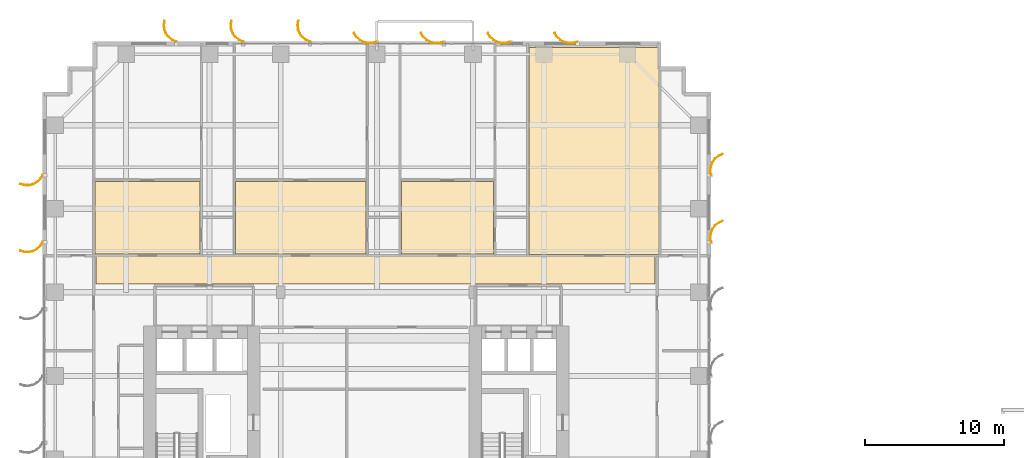
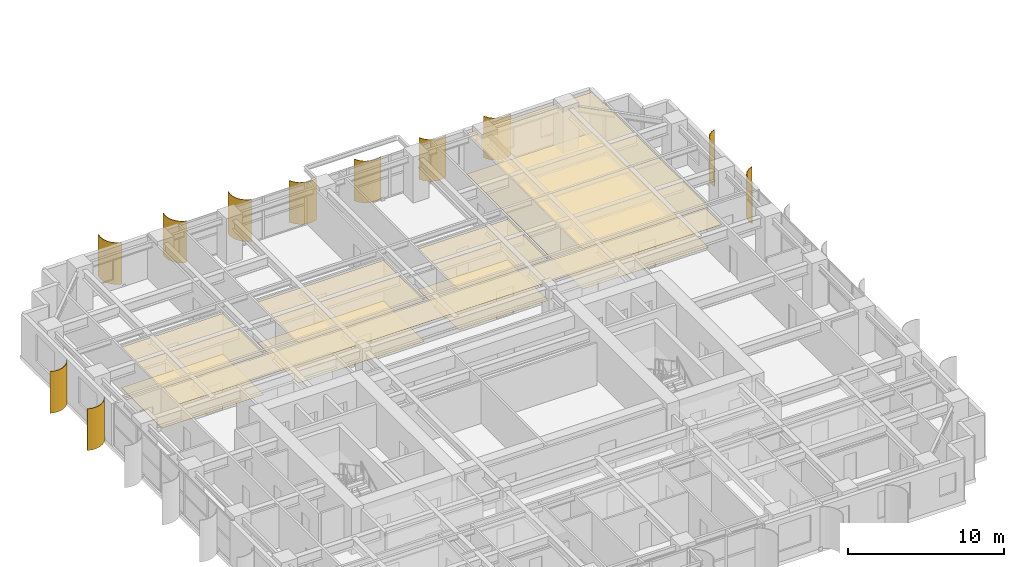
# One storey, part 26 of 26: 11 shading devices, 9 coverings.
"""IFC4 building model written with IfcOpenShell, lengths in metres."""

from ifc_helpers import new_model, si_unit, direction, frame, origin, place, context, subcontext, project, spatial, polyline, outline, extrude, source, transform, mapped, material, layer, layer_set, type_object, element, save


model = new_model("IFC4")

# Units and contexts
model_context = context("Model", 3, precision=1e-05, world=origin(), true_north=direction((0.0, 1.0)))
body_context = subcontext(model_context, "Body", "Model", "MODEL_VIEW")
ifc_project = project(units=[si_unit("LENGTHUNIT", "METRE"), si_unit("AREAUNIT", "SQUARE_METRE"), si_unit("VOLUMEUNIT", "CUBIC_METRE"), si_unit("PLANEANGLEUNIT", "RADIAN"), si_unit("MASSUNIT", "GRAM", prefix="KILO")], contexts=[model_context])

# Site, building, storey
site_placement = place(None, origin())
site = spatial("IfcSite", under=ifc_project, at=site_placement, CompositionType="ELEMENT")
building_placement = place(site_placement, origin())
building = spatial("IfcBuilding", under=site, at=building_placement, Name="Khoralis Quay Care Tower", CompositionType="ELEMENT")
storey_placement = place(building_placement, frame((0.0, 0.0, 26.10009765625)))
storey = spatial("IfcBuildingStorey", under=building, at=storey_placement, Name="L06", CompositionType="ELEMENT", Elevation=26.10009765625)

# Coverings
ifc_material_1 = material(Name="Mineral-fibre acoustic ceiling tile")
ifc_layer_1 = layer(ifc_material_1, 0.01806640625)
ifc_layer_set_1 = layer_set([ifc_layer_1], Name="Mineral-fibre acoustic ceiling tile")
covering_type_1 = type_object("IfcCoveringType", Name="COV-CEIL-AC18", PredefinedType="CEILING", material=ifc_layer_set_1)
covering_1_placement = place(storey_placement, frame((0.0, 0.0, 3.171875)))
element("IfcCovering", 1, at=covering_1_placement, inside=storey, type_object=covering_type_1, Name="Suspended Acoustic Ceiling SP-L06-CORR-N", PredefinedType="CEILING", context=body_context, shape_type="SweptSolid", body=[
    extrude(outline(polyline([(3.820068359375, 30.590087890625), (43.97998046875, 30.590087890625), (43.97998046875, 32.60009765625), (3.820068359375, 32.60009765625), (3.820068359375, 30.590087890625)])), origin(), (0.0, 0.0, 1.0), 0.01806640625),
])
covering_2_placement = place(storey_placement, frame((0.0, 0.0, 3.171875)))
element("IfcCovering", 2, at=covering_2_placement, inside=storey, type_object=covering_type_1, Name="Suspended Acoustic Ceiling SP-L06-NB-CARE0", PredefinedType="CEILING", context=body_context, shape_type="SweptSolid", body=[
    extrude(outline(polyline([(3.780029296875, 32.739990234375), (11.31005859375, 32.739990234375), (11.31005859375, 37.969970703125), (3.780029296875, 37.969970703125), (3.780029296875, 32.739990234375)])), origin(), (0.0, 0.0, 1.0), 0.01806640625),
])
covering_3_placement = place(storey_placement, frame((0.0, 0.0, 3.171875)))
element("IfcCovering", 3, at=covering_3_placement, inside=storey, type_object=covering_type_1, Name="Suspended Acoustic Ceiling SP-L06-NB-CARE1", PredefinedType="CEILING", context=body_context, shape_type="SweptSolid", body=[
    extrude(outline(polyline([(13.860107421875, 32.739990234375), (23.2099609375, 32.739990234375), (23.2099609375, 37.969970703125), (13.860107421875, 37.969970703125), (13.860107421875, 32.739990234375)])), origin(), (0.0, 0.0, 1.0), 0.01806640625),
])
covering_4_placement = place(storey_placement, frame((0.0, 0.0, 3.171875)))
element("IfcCovering", 4, at=covering_4_placement, inside=storey, type_object=covering_type_1, Name="Suspended Acoustic Ceiling SP-L06-NB-CARE2", PredefinedType="CEILING", context=body_context, shape_type="SweptSolid", body=[
    extrude(outline(polyline([(25.760009765625, 32.739990234375), (32.3798828125, 32.739990234375), (32.3798828125, 37.969970703125), (25.760009765625, 37.969970703125), (25.760009765625, 32.739990234375)])), origin(), (0.0, 0.0, 1.0), 0.01806640625),
])
covering_5_placement = place(storey_placement, frame((0.0, 0.0, 3.171875)))
element("IfcCovering", 5, at=covering_5_placement, inside=storey, type_object=covering_type_1, Name="Suspended Acoustic Ceiling SP-L06-NB-COM3", PredefinedType="CEILING", context=body_context, shape_type="SweptSolid", body=[
    extrude(outline(polyline([(34.909912109375, 32.719970703125), (44.239990234375, 32.719970703125), (44.239990234375, 47.580078125), (34.909912109375, 47.580078125), (34.909912109375, 32.719970703125)])), origin(), (0.0, 0.0, 1.0), 0.01806640625),
])
ifc_material_2 = material(Name="Porcelain and non-slip vinyl flooring")
ifc_layer_2 = layer(ifc_material_2, 0.02001953125)
ifc_layer_set_2 = layer_set([ifc_layer_2], Name="Porcelain and non-slip vinyl flooring")
covering_type_2 = type_object("IfcCoveringType", Name="COV-FLOOR-20", PredefinedType="FLOORING", material=ifc_layer_set_2)
covering_6_placement = place(storey_placement, origin())
element("IfcCovering", 6, at=covering_6_placement, inside=storey, type_object=covering_type_2, Name="Resilient Healthcare Flooring SP-L06-NB-CARE0", PredefinedType="FLOORING", context=body_context, shape_type="SweptSolid", body=[
    extrude(outline(polyline([(3.780029296875, 32.739990234375), (11.31005859375, 32.739990234375), (11.31005859375, 37.969970703125), (3.780029296875, 37.969970703125), (3.780029296875, 32.739990234375)])), origin(), (0.0, 0.0, 1.0), 0.02001953125),
])
covering_7_placement = place(storey_placement, origin())
element("IfcCovering", 7, at=covering_7_placement, inside=storey, type_object=covering_type_2, Name="Resilient Healthcare Flooring SP-L06-NB-CARE1", PredefinedType="FLOORING", context=body_context, shape_type="SweptSolid", body=[
    extrude(outline(polyline([(13.860107421875, 32.739990234375), (23.2099609375, 32.739990234375), (23.2099609375, 37.969970703125), (13.860107421875, 37.969970703125), (13.860107421875, 32.739990234375)])), origin(), (0.0, 0.0, 1.0), 0.02001953125),
])
covering_8_placement = place(storey_placement, origin())
element("IfcCovering", 8, at=covering_8_placement, inside=storey, type_object=covering_type_2, Name="Resilient Healthcare Flooring SP-L06-NB-CARE2", PredefinedType="FLOORING", context=body_context, shape_type="SweptSolid", body=[
    extrude(outline(polyline([(25.760009765625, 32.739990234375), (32.3798828125, 32.739990234375), (32.3798828125, 37.969970703125), (25.760009765625, 37.969970703125), (25.760009765625, 32.739990234375)])), origin(), (0.0, 0.0, 1.0), 0.02001953125),
])
covering_9_placement = place(storey_placement, origin())
element("IfcCovering", 9, at=covering_9_placement, inside=storey, type_object=covering_type_2, Name="Resilient Healthcare Flooring SP-L06-NB-COM3", PredefinedType="FLOORING", context=body_context, shape_type="SweptSolid", body=[
    extrude(outline(polyline([(34.909912109375, 32.719970703125), (44.239990234375, 32.719970703125), (44.239990234375, 47.580078125), (34.909912109375, 47.580078125), (34.909912109375, 32.719970703125)])), origin(), (0.0, 0.0, 1.0), 0.02001953125),
])

# Shading devices
ifc_material_3 = material(Name="Brushed pale anodised aluminium", Category="aluminium")
ifc_layer_3 = layer(ifc_material_3, 0.044921875)
ifc_layer_set_3 = layer_set([ifc_layer_3], Name="Brushed pale anodised aluminium")
shading_device_type = type_object("IfcShadingDeviceType", Name="SHD-FIN-1250", PredefinedType="USERDEFINED", material=ifc_layer_set_3)
shared_shape_1 = source(origin(), body_context, "Body", "SweptSolid", [
    extrude(outline(polyline([(0.0, 0.0), (0.130126953125, 0.29931640625), (0.333251953125, 0.5546875), (0.595458984375, 0.748779296875), (0.899169921875, 0.868408203125), (1.223388671875, 0.9052734375), (1.546142578125, 0.85693359375), (1.53369140625, 0.813720703125), (1.22265625, 0.8603515625), (0.91015625, 0.82470703125), (0.617431640625, 0.70947265625), (0.364501953125, 0.522216796875), (0.168701171875, 0.276123046875), (0.043212890625, -0.012451171875), (0.0, 0.0)])), origin(), (0.0, 0.0, 1.0), 3.259765625),
])
for number, where, z_axis, x_axis, name in (
    (10, (19.199951171875, 47.969970703125, 0.02001953125), (0.0, 0.0, 1.0), (0.0, 1.0, 0.0), "L06 Curved Solar Fin P1E10-05"),
    (11, (14.39990234375, 47.969970703125, 0.02001953125), (0.0, 0.0, 1.0), (0.0, 1.0, 0.0), "L06 Curved Solar Fin P1E10-06"),
    (12, (9.60009765625, 47.969970703125, 0.02001953125), (0.0, 0.0, 1.0), (0.0, 1.0, 0.0), "L06 Curved Solar Fin P1E10-07"),
):
    element("IfcShadingDevice", number, at=place(storey_placement, frame(where, z_axis=z_axis, x_axis=x_axis)), inside=storey, type_object=shading_device_type, Name=name, ObjectType="FIN", PredefinedType="USERDEFINED", context=body_context, shape_type="MappedRepresentation", body=[
        mapped(shared_shape_1, transform((0.0, 0.0, 0.0), scale=1.0)),
    ])
shared_shape_2 = source(origin(), body_context, "Body", "SweptSolid", [
    extrude(outline(polyline([(0.0, 0.0), (0.17041015625, 0.2783203125), (0.4072265625, 0.5029296875), (0.694091796875, 0.658447265625), (1.01123046875, 0.734619140625), (1.33740234375, 0.72607421875), (1.650390625, 0.633544921875), (1.632080078125, 0.59228515625), (1.330322265625, 0.681640625), (1.015869140625, 0.68994140625), (0.710205078125, 0.616455078125), (0.43359375, 0.466552734375), (0.20556640625, 0.25), (0.041015625, -0.018310546875), (0.0, 0.0)])), origin(), (0.0, 0.0, 1.0), 3.259765625),
])
for number, where, z_axis, x_axis, name in (
    (13, (0.030029296875, 38.39990234375, 0.02001953125), (0.0, 0.0, 1.0), (-1.0, 0.0, 0.0), "L06 Curved Solar Fin P1E15-01"),
    (14, (0.030029296875, 33.60009765625, 0.02001953125), (0.0, 0.0, 1.0), (-1.0, 0.0, 0.0), "L06 Curved Solar Fin P1E15-02"),
):
    element("IfcShadingDevice", number, at=place(storey_placement, frame(where, z_axis=z_axis, x_axis=x_axis)), inside=storey, type_object=shading_device_type, Name=name, ObjectType="FIN", PredefinedType="USERDEFINED", context=body_context, shape_type="MappedRepresentation", body=[
        mapped(shared_shape_2, transform((0.0, 0.0, 0.0), scale=1.0)),
    ])
shared_shape_3 = source(origin(), body_context, "Body", "SweptSolid", [
    extrude(outline(polyline([(0.0, 0.0), (-0.04833984375, 0.32275390625), (-0.01123046875, 0.64697265625), (0.1083984375, 0.950439453125), (0.302490234375, 1.212890625), (0.557861328125, 1.416015625), (0.85693359375, 1.546142578125), (0.869384765625, 1.5029296875), (0.5810546875, 1.37744140625), (0.334716796875, 1.181640625), (0.147705078125, 0.9287109375), (0.032470703125, 0.635986328125), (-0.003173828125, 0.323486328125), (0.043212890625, 0.012451171875), (0.0, 0.0)])), origin(), (0.0, 0.0, 1.0), 3.259765625),
])
for number, where, z_axis, x_axis, name in (
    (15, (47.969970703125, 33.60009765625, 0.02001953125), (0.0, 0.0, 1.0), (1.0, 0.0, 0.0), "L06 Curved Solar Fin P1E5-06"),
    (16, (47.969970703125, 38.39990234375, 0.02001953125), (0.0, 0.0, 1.0), (1.0, 0.0, 0.0), "L06 Curved Solar Fin P1E5-07"),
):
    element("IfcShadingDevice", number, at=place(storey_placement, frame(where, z_axis=z_axis, x_axis=x_axis)), inside=storey, type_object=shading_device_type, Name=name, ObjectType="FIN", PredefinedType="USERDEFINED", context=body_context, shape_type="MappedRepresentation", body=[
        mapped(shared_shape_3, transform((0.0, 0.0, 0.0), scale=1.0)),
    ])
shared_shape_4 = source(origin(), body_context, "Body", "SweptSolid", [
    extrude(outline(polyline([(0.0, 0.0), (-0.0927734375, 0.31298828125), (-0.101318359375, 0.63916015625), (-0.025146484375, 0.956298828125), (0.130615234375, 1.2431640625), (0.355224609375, 1.479736328125), (0.633544921875, 1.650390625), (0.65185546875, 1.609130859375), (0.383544921875, 1.44482421875), (0.1669921875, 1.216796875), (0.01708984375, 0.940185546875), (-0.056396484375, 0.63427734375), (-0.04833984375, 0.31982421875), (0.041015625, 0.018310546875), (0.0, 0.0)])), origin(), (0.0, 0.0, 1.0), 3.259765625),
])
for number, where, z_axis, x_axis, name in (
    (17, (38.39990234375, 47.969970703125, 0.02001953125), (0.0, 0.0, 1.0), (0.0, 1.0, 0.0), "L06 Curved Solar Fin P1E10-01"),
    (18, (33.60009765625, 47.969970703125, 0.02001953125), (0.0, 0.0, 1.0), (0.0, 1.0, 0.0), "L06 Curved Solar Fin P1E10-02"),
    (19, (28.800048828125, 47.969970703125, 0.02001953125), (0.0, 0.0, 1.0), (0.0, 1.0, 0.0), "L06 Curved Solar Fin P1E10-03"),
    (20, (24.0, 47.969970703125, 0.02001953125), (0.0, 0.0, 1.0), (0.0, 1.0, 0.0), "L06 Curved Solar Fin P1E10-04"),
):
    element("IfcShadingDevice", number, at=place(storey_placement, frame(where, z_axis=z_axis, x_axis=x_axis)), inside=storey, type_object=shading_device_type, Name=name, ObjectType="FIN", PredefinedType="USERDEFINED", context=body_context, shape_type="MappedRepresentation", body=[
        mapped(shared_shape_4, transform((0.0, 0.0, 0.0), scale=1.0)),
    ])

save(model, "model.ifc")
